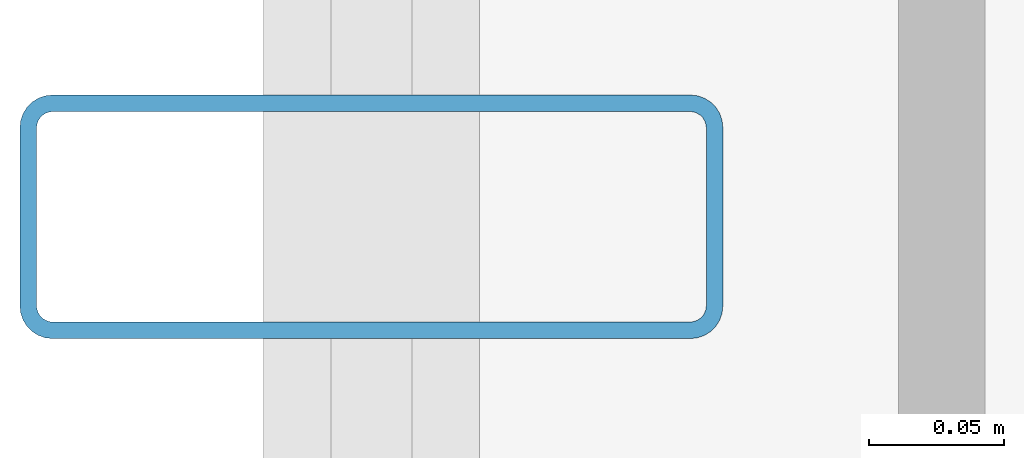
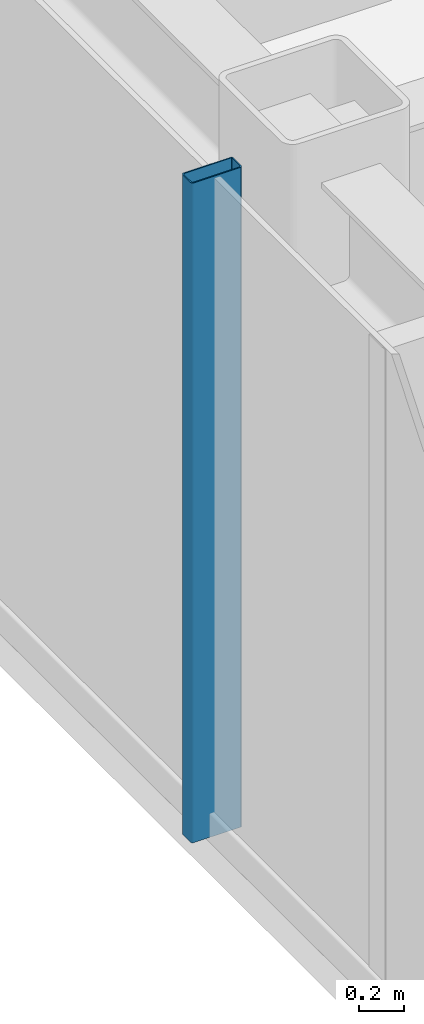
# One storey, part 4 of 18: 1 member, 1 element without a shape of its own.
"""IFC4 building model written with IfcOpenShell, lengths in metres."""

from ifc_helpers import new_model, si_unit, direction, frame, origin, origin_2d, place, context, subcontext, project, spatial, hollow_rectangle, extrude, source, transform, mapped, material, layer, layer_set, material_profile, profile_set, type_object, element, aggregate, save


model = new_model("IFC4")

# Units and contexts
model_context = context("Model", 3, precision=1e-05, world=origin(), true_north=direction((0.0, 1.0)))
body_context = subcontext(model_context, "Body", "Model", "MODEL_VIEW")
ifc_project = project(units=[si_unit("LENGTHUNIT", "METRE"), si_unit("AREAUNIT", "SQUARE_METRE"), si_unit("VOLUMEUNIT", "CUBIC_METRE"), si_unit("PLANEANGLEUNIT", "RADIAN"), si_unit("MASSUNIT", "GRAM", prefix="KILO")], contexts=[model_context])

# Site, building, storey
site_placement = place(None, origin())
site = spatial("IfcSite", under=ifc_project, at=site_placement, CompositionType="ELEMENT")
building_placement = place(site_placement, origin())
building = spatial("IfcBuilding", under=site, at=building_placement, Name="Nefas-Gora Pilgrimage Tower", CompositionType="ELEMENT")
storey_placement = place(building_placement, frame((0.0, 0.0, 268.39990234375)))
storey = spatial("IfcBuildingStorey", under=building, at=storey_placement, Name="L67", CompositionType="ELEMENT", Elevation=268.39990234375)

# Curtain wall, member
ifc_material_1 = material(Name="Dark ceramic-fritted solar-control aluminium-glass curtain wall", Category="aluminium")
ifc_layer = layer(ifc_material_1, 0.219970703125)
ifc_layer_set = layer_set([ifc_layer], Name="Dark ceramic-fritted solar-control aluminium-glass curtain wall")
curtain_wall_type = type_object("IfcCurtainWallType", Name="CW-SYS-4", PredefinedType="NOTDEFINED", material=ifc_layer_set)
curtain_wall_placement = place(storey_placement, origin())
curtain_wall = element("IfcCurtainWall", 1, at=curtain_wall_placement, inside=storey, type_object=curtain_wall_type, Name="L67 Unitised Curtain Wall CW4", PredefinedType="NOTDEFINED")
ifc_material_2 = material(Name="Anodised architectural aluminium", Category="aluminium")
ifc_material_profile = material_profile(ifc_material_2, hollow_rectangle(XDim=0.090087890625, YDim=0.260009765625, WallThickness=0.006103515625, InnerFilletRadius=0.006103515625, OuterFilletRadius=0.011962890625, at=origin_2d()), Name="ALU MULLION 90x260")
ifc_profile_set = profile_set([ifc_material_profile], Name="Anodised architectural aluminium")
member_type = type_object("IfcMemberType", Name="CWM-MUL-4", PredefinedType="MULLION", material=ifc_profile_set)
shared_shape = source(origin(), body_context, "Body", "SweptSolid", [
    extrude(hollow_rectangle(XDim=0.090087890625, YDim=0.260009765625, WallThickness=0.006103515625, InnerFilletRadius=0.006103515625, OuterFilletRadius=0.011962890625, at=origin_2d()), origin(), (0.0, 0.0, 1.0), 3.550048828125),
])
member_placement = place(storey_placement, frame((-25.27001953125, 0.0, 0.0), z_axis=(0.0, 0.0, 1.0), x_axis=(0.0, -1.0, 0.0)))
member = element("IfcMember", 2, at=member_placement, type_object=member_type, Name="CW4 Mullion 2", PredefinedType="MULLION", context=body_context, shape_type="MappedRepresentation", body=[
    mapped(shared_shape, transform((0.0, 0.0, 0.0), x_axis=(1.0, 0.0, 0.0), y_axis=(0.0, 1.0, 0.0), z_axis=(0.0, 0.0, 1.0), scale=1.0)),
])
aggregate(curtain_wall, [member])

save(model, "model.ifc")
